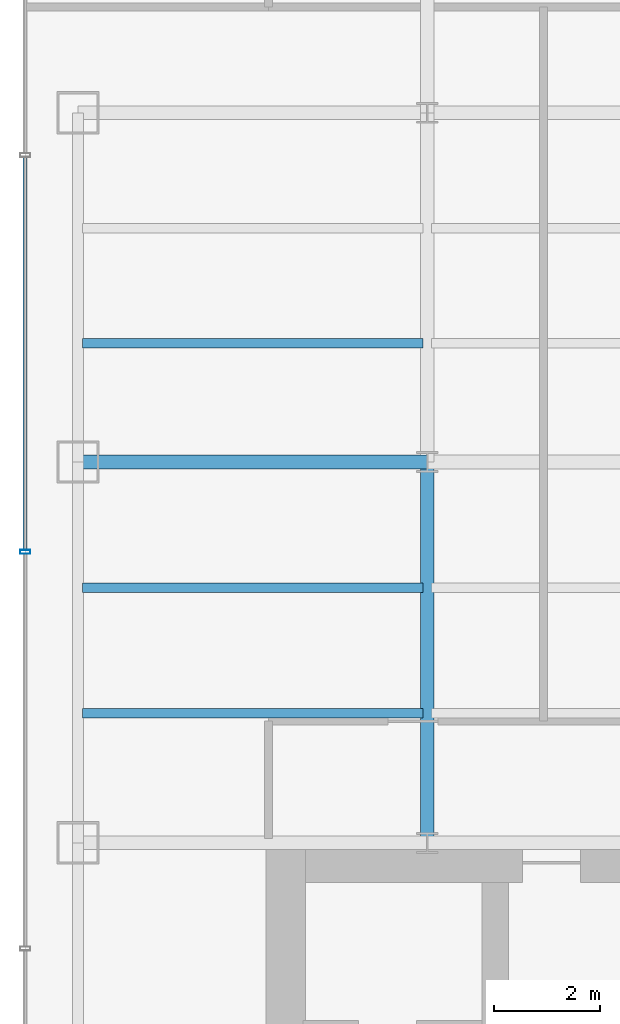
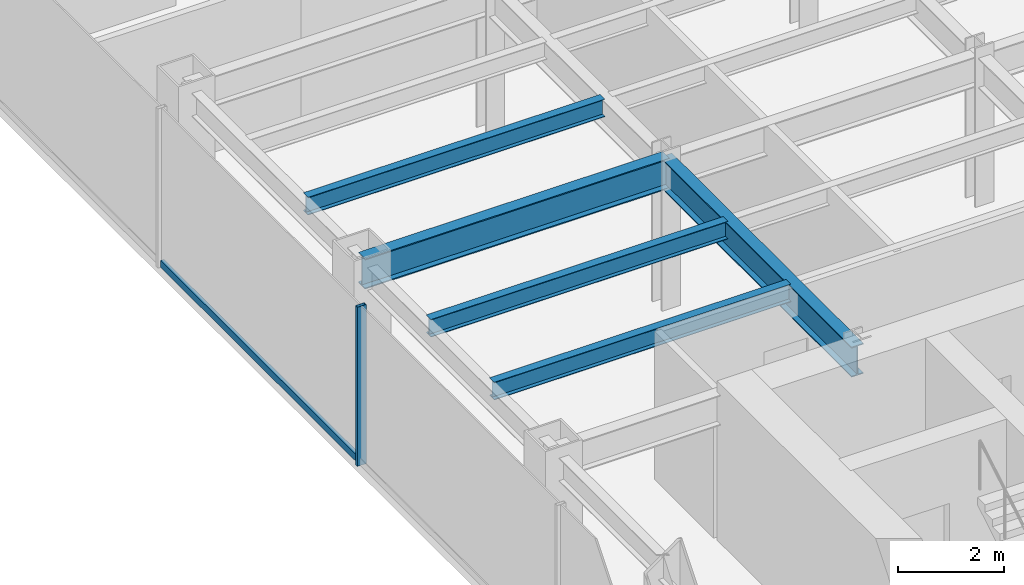
# One storey, part 4 of 26: 5 beams, 2 members, 1 element without a shape of its own.
"""IFC4 building model written with IfcOpenShell, lengths in metres."""

from ifc_helpers import new_model, si_unit, derived_unit, direction, frame, origin, origin_2d, place, context, subcontext, project, spatial, hollow_rectangle, i_section, extrude, source, transform, mapped, material, material_profile, profile_set, type_object, element, aggregate, save


model = new_model("IFC4")

# Units and contexts
model_context = context("Model", 3, precision=1e-05, world=origin(), true_north=direction((0.0, 1.0)))
body_context = subcontext(model_context, "Body", "Model", "MODEL_VIEW")
ifc_project = project(units=[si_unit("LENGTHUNIT", "METRE"), si_unit("AREAUNIT", "SQUARE_METRE"), si_unit("VOLUMEUNIT", "CUBIC_METRE"), si_unit("PLANEANGLEUNIT", "RADIAN"), si_unit("MASSUNIT", "GRAM", prefix="KILO"), derived_unit("THERMALTRANSMITTANCEUNIT", [(si_unit("POWERUNIT", "WATT"), 1), (si_unit("LENGTHUNIT", "METRE"), -2), (si_unit("THERMODYNAMICTEMPERATUREUNIT", "KELVIN"), -1)])], contexts=[model_context])

# Site, building, storey
site_placement = place(None, origin())
site = spatial("IfcSite", under=ifc_project, at=site_placement, CompositionType="ELEMENT")
building_placement = place(site_placement, origin())
building = spatial("IfcBuilding", under=site, at=building_placement, Name="Skarnbrae Concourse Arena and Tower", CompositionType="ELEMENT")
storey_placement = place(building_placement, frame((0.0, 0.0, 121.5)))
storey = spatial("IfcBuildingStorey", under=building, at=storey_placement, Name="L30", CompositionType="ELEMENT", Elevation=121.5)

# Beams
ifc_material_1 = material(Name="Steel CSA G40.21 350W", Category="steel")
ifc_material_profile_1 = material_profile(ifc_material_1, i_section(OverallWidth=0.256103515625, OverallDepth=0.693115234375, WebThickness=0.014404296875, FlangeThickness=0.023681640625, at=origin_2d()), Name="W690X170")
ifc_profile_set_1 = profile_set([ifc_material_profile_1], Name="Steel CSA G40.21 350W")
beam_type_1 = type_object("IfcBeamType", Name="BM-GIRD-W690X170", PredefinedType="BEAM", material=ifc_profile_set_1)
shared_shape_1 = source(origin(), body_context, "Body", "SweptSolid", [
    extrude(i_section(OverallWidth=0.256103515625, OverallDepth=0.693115234375, WebThickness=0.014404296875, FlangeThickness=0.023681640625, at=origin_2d()), origin(), (0.0, 0.0, 1.0), 6.60009765625),
])
beam_1_placement = place(storey_placement, frame((1.0, 21.199951171875, 3.053466796875), z_axis=(1.0, 0.0, 0.0), x_axis=(0.0, 1.0, 0.0)))
element("IfcBeam", 1, at=beam_1_placement, inside=storey, type_object=beam_type_1, Name="L30 Primary E-W girder Y21.2-1", PredefinedType="BEAM", context=body_context, shape_type="MappedRepresentation", body=[
    mapped(shared_shape_1, transform((0.0, 0.0, 0.0))),
])
shared_shape_2 = source(origin(), body_context, "Body", "SweptSolid", [
    extrude(i_section(OverallWidth=0.256103515625, OverallDepth=0.693115234375, WebThickness=0.014404296875, FlangeThickness=0.023681640625, at=origin_2d()), origin(), (0.0, 0.0, 1.0), 7.199951171875),
])
beam_2_placement = place(storey_placement, frame((7.60009765625, 14.0, 3.053466796875), z_axis=(0.0, 1.0, 0.0), x_axis=(-1.0, 0.0, 0.0)))
element("IfcBeam", 2, at=beam_2_placement, inside=storey, type_object=beam_type_1, Name="L30 Primary N-S girder X7.6-1", PredefinedType="BEAM", context=body_context, shape_type="MappedRepresentation", body=[
    mapped(shared_shape_2, transform((0.0, 0.0, 0.0))),
])
ifc_material_profile_2 = material_profile(ifc_material_1, i_section(OverallWidth=0.177978515625, OverallDepth=0.406982421875, WebThickness=0.0078125, FlangeThickness=0.0126953125, at=origin_2d()), Name="W410X60")
ifc_profile_set_2 = profile_set([ifc_material_profile_2], Name="Steel CSA G40.21 350W")
beam_type_2 = type_object("IfcBeamType", Name="BM-JOIST-W410X60", PredefinedType="JOIST", material=ifc_profile_set_2)
shared_shape_3 = source(origin(), body_context, "Body", "SweptSolid", [
    extrude(i_section(OverallWidth=0.177978515625, OverallDepth=0.406982421875, WebThickness=0.0078125, FlangeThickness=0.0126953125, at=origin_2d()), origin(), (0.0, 0.0, 1.0), 6.43994140625),
])
for number, where, z_axis, x_axis, name in (
    (3, (1.080078125, 16.447998046875, 3.196533203125), (1.0, 0.0, 0.0), (0.0, 1.0, 0.0), "L30 Secondary floor joist 1.1.1"),
    (4, (1.080078125, 18.823974609375, 3.196533203125), (1.0, 0.0, 0.0), (0.0, 1.0, 0.0), "L30 Secondary floor joist 1.2.1"),
    (5, (1.080078125, 23.444091796875, 3.196533203125), (1.0, 0.0, 0.0), (0.0, 1.0, 0.0), "L30 Secondary floor joist 2.1.1"),
):
    element("IfcBeam", number, at=place(storey_placement, frame(where, z_axis=z_axis, x_axis=x_axis)), inside=storey, type_object=beam_type_2, Name=name, PredefinedType="JOIST", context=body_context, shape_type="MappedRepresentation", body=[
        mapped(shared_shape_3, transform((0.0, 0.0, 0.0))),
    ])

# Curtain wall, members
ifc_material_2 = material(Name="Bronze anodised aluminium 6063-T6", Category="aluminium")
curtain_wall_type = type_object("IfcCurtainWallType", Name="CW-SYS-04-MIDZONE", PredefinedType="USERDEFINED", material=ifc_material_2)
curtain_wall_placement = place(storey_placement, origin())
curtain_wall = element("IfcCurtainWall", 6, at=curtain_wall_placement, inside=storey, type_object=curtain_wall_type, Name="L30 Unitised curtain wall CW-L30-E19", ObjectType="UNITISED CURTAIN WALL", PredefinedType="USERDEFINED")
ifc_material_profile_3 = material_profile(ifc_material_2, hollow_rectangle(XDim=0.074951171875, YDim=0.159912109375, WallThickness=0.00439453125, at=origin_2d()), Name="ALU-TRAN-75X160")
ifc_profile_set_3 = profile_set([ifc_material_profile_3], Name="Bronze anodised aluminium 6063-T6")
member_type_1 = type_object("IfcMemberType", Name="CWT-CW-04", PredefinedType="USERDEFINED", material=ifc_profile_set_3)
shared_shape_4 = source(origin(), body_context, "Body", "SweptSolid", [
    extrude(hollow_rectangle(XDim=0.074951171875, YDim=0.159912109375, WallThickness=0.00439453125, at=origin_2d()), origin(), (0.0, 0.0, 1.0), 7.4248046875),
])
member_1_placement = place(storey_placement, frame((0.0, 26.96240234375, 0.080078125), z_axis=(0.0, -1.0, 0.0), x_axis=(1.0, 0.0, 0.0)))
member_1 = element("IfcMember", 7, at=member_1_placement, type_object=member_type_1, Name="CW-L30-E19 Transom 2", ObjectType="TRANSOM", PredefinedType="USERDEFINED", context=body_context, shape_type="MappedRepresentation", body=[
    mapped(shared_shape_4, transform((0.0, 0.0, 0.0))),
])
ifc_material_profile_4 = material_profile(ifc_material_2, hollow_rectangle(XDim=0.074951171875, YDim=0.195068359375, WallThickness=0.00439453125, at=origin_2d()), Name="ALU-MULL-75X195")
ifc_profile_set_4 = profile_set([ifc_material_profile_4], Name="Bronze anodised aluminium 6063-T6")
member_type_2 = type_object("IfcMemberType", Name="CWM-CW-04", PredefinedType="MULLION", material=ifc_profile_set_4)
shared_shape_5 = source(origin(), body_context, "Body", "SweptSolid", [
    extrude(hollow_rectangle(XDim=0.074951171875, YDim=0.195068359375, WallThickness=0.00439453125, at=origin_2d()), origin(), (0.0, 0.0, 1.0), 3.64990234375),
])
member_2_placement = place(storey_placement, frame((0.0, 19.5, 0.0), z_axis=(0.0, 0.0, 1.0), x_axis=(0.0, -1.0, 0.0)))
member_2 = element("IfcMember", 8, at=member_2_placement, type_object=member_type_2, Name="CW-L30-E19 Mullion 3", PredefinedType="MULLION", context=body_context, shape_type="MappedRepresentation", body=[
    mapped(shared_shape_5, transform((0.0, 0.0, 0.0))),
])
aggregate(curtain_wall, [member_2, member_1])

save(model, "model.ifc")
